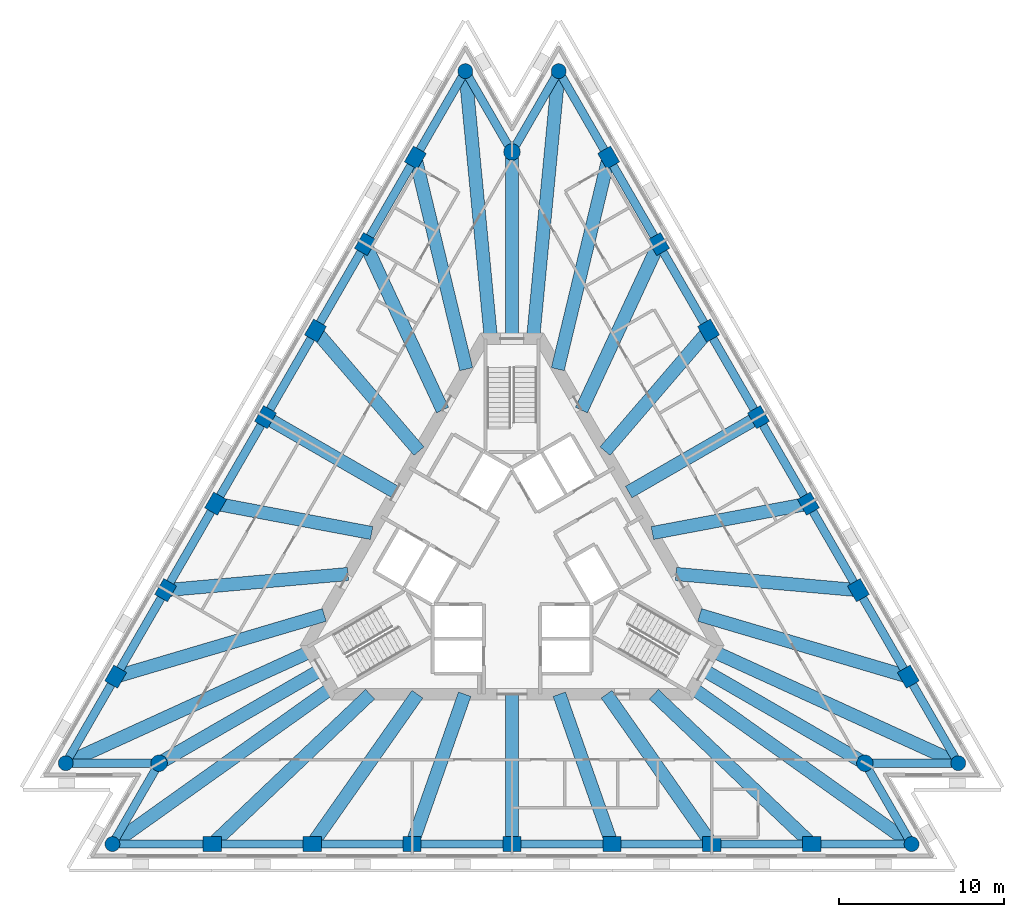
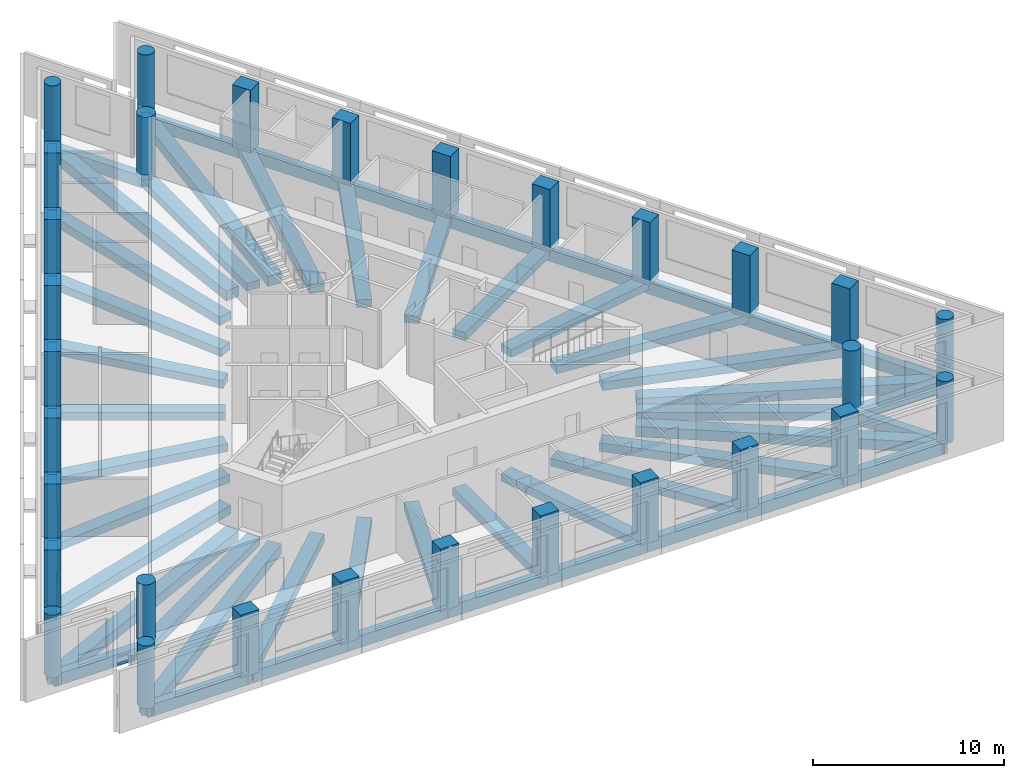
# One storey, part 1 of 9: 60 beams, 30 columns.
"""IFC4 building model written with IfcOpenShell, lengths in metres."""

from ifc_helpers import new_model, si_unit, direction, frame, origin, origin_2d, place, context, subcontext, project, spatial, rectangle, circle, extrude, material, material_profile, profile_set, type_object, element, save


model = new_model("IFC4")

# Units and contexts
model_context = context("Model", 3, precision=1e-05, world=origin(), true_north=direction((0.0, 1.0)))
body_context = subcontext(model_context, "Body", "Model", "MODEL_VIEW")
ifc_project = project(units=[si_unit("LENGTHUNIT", "METRE"), si_unit("AREAUNIT", "SQUARE_METRE"), si_unit("VOLUMEUNIT", "CUBIC_METRE"), si_unit("PLANEANGLEUNIT", "RADIAN"), si_unit("MASSUNIT", "GRAM", prefix="KILO")], contexts=[model_context])

# Site, building, storey
site_placement = place(None, origin())
site = spatial("IfcSite", under=ifc_project, at=site_placement, CompositionType="ELEMENT")
building_placement = place(site_placement, origin())
building = spatial("IfcBuilding", under=site, at=building_placement, Name="Triada Interchange Tower", CompositionType="ELEMENT")
storey_placement = place(building_placement, frame((0.0, 0.0, 215.300048828125)))
storey = spatial("IfcBuildingStorey", under=building, at=storey_placement, Name="L50", CompositionType="ELEMENT", Elevation=215.300048828125)

# Columns
ifc_material = material(Name="Concrete C50/60", Category="concrete")
ifc_material_profile_1 = material_profile(ifc_material, rectangle(XDim=1.10009765625, YDim=0.89990234375, at=origin_2d()), Name="RC 1100x900")
ifc_profile_set_1 = profile_set([ifc_material_profile_1], Name="Concrete C50/60")
column_type_1 = type_object("IfcColumnType", Name="Column C face RC 1100x900", PredefinedType="COLUMN", material=ifc_profile_set_1)
for number, where, z_axis, x_axis, name in (
    (1, (-5.843017578125, 24.299072265625, -0.300048828125), (0.0, 0.0, 1.0), (0.5, 0.866025403784, 0.0), "Column CC02 L50"),
    (2, (-8.864013671875, 19.068115234375, -0.300048828125), (0.0, 0.0, 1.0), (0.5, 0.866025403784, 0.0), "Column CC03 L50"),
    (3, (-11.884033203125, 13.8359375, -0.300048828125), (0.0, 0.0, 1.0), (0.5, 0.866025403784, 0.0), "Column CC04 L50"),
    (4, (-14.904052734375, 8.60498046875, -0.300048828125), (0.0, 0.0, 1.0), (0.5, 0.866025403784, 0.0), "Column CC05 L50"),
    (5, (-17.924072265625, 3.3740234375, -0.300048828125), (0.0, 0.0, 1.0), (0.5, 0.866025403784, 0.0), "Column CC06 L50"),
    (6, (-20.944091796875, -1.85791015625, -0.300048828125), (0.0, 0.0, 1.0), (0.5, 0.866025403784, 0.0), "Column CC07 L50"),
    (7, (-23.965087890625, -7.089111328125, -0.300048828125), (0.0, 0.0, 1.0), (0.5, 0.866025403784, 0.0), "Column CC08 L50"),
    (8, (-18.12109375, -17.2099609375, -0.300048828125), (0.0, 0.0, 1.0), (1.0, 0.0, 0.0), "Column CC11 L50"),
    (9, (-12.0810546875, -17.2099609375, -0.300048828125), (0.0, 0.0, 1.0), (1.0, 0.0, 0.0), "Column CC12 L50"),
    (10, (-6.041015625, -17.2099609375, -0.300048828125), (0.0, 0.0, 1.0), (1.0, 0.0, 0.0), "Column CC13 L50"),
    (11, (0.0, -17.2099609375, -0.300048828125), (0.0, 0.0, 1.0), (1.0, 0.0, 0.0), "Column CC14 L50"),
    (12, (6.041015625, -17.2099609375, -0.300048828125), (0.0, 0.0, 1.0), (1.0, 0.0, 0.0), "Column CC15 L50"),
    (13, (12.0810546875, -17.2099609375, -0.300048828125), (0.0, 0.0, 1.0), (1.0, 0.0, 0.0), "Column CC16 L50"),
    (14, (18.12109375, -17.2099609375, -0.300048828125), (0.0, 0.0, 1.0), (1.0, 0.0, 0.0), "Column CC17 L50"),
    (15, (23.965087890625, -7.089111328125, -0.300048828125), (0.0, 0.0, 1.0), (-0.5, 0.866025403784, 0.0), "Column CC20 L50"),
    (16, (20.944091796875, -1.85791015625, -0.300048828125), (0.0, 0.0, 1.0), (-0.5, 0.866025403784, 0.0), "Column CC21 L50"),
    (17, (17.924072265625, 3.3740234375, -0.300048828125), (0.0, 0.0, 1.0), (-0.5, 0.866025403784, 0.0), "Column CC22 L50"),
    (18, (14.904052734375, 8.60498046875, -0.300048828125), (0.0, 0.0, 1.0), (-0.5, 0.866025403784, 0.0), "Column CC23 L50"),
    (19, (11.884033203125, 13.8359375, -0.300048828125), (0.0, 0.0, 1.0), (-0.5, 0.866025403784, 0.0), "Column CC24 L50"),
    (20, (8.864013671875, 19.068115234375, -0.300048828125), (0.0, 0.0, 1.0), (-0.5, 0.866025403784, 0.0), "Column CC25 L50"),
    (21, (5.843017578125, 24.299072265625, -0.300048828125), (0.0, 0.0, 1.0), (-0.5, 0.866025403784, 0.0), "Column CC26 L50"),
):
    element("IfcColumn", number, at=place(storey_placement, frame(where, z_axis=z_axis, x_axis=x_axis)), inside=storey, type_object=column_type_1, Name=name, PredefinedType="COLUMN", context=body_context, shape_type="SweptSolid", body=[
        extrude(rectangle(XDim=1.10009765625, YDim=0.89990234375, at=origin_2d()), origin(), (0.0, 0.0, 1.0), 4.0),
    ])
ifc_material_profile_2 = material_profile(ifc_material, circle(Radius=0.449951171875, at=origin_2d()), Name="RC D900")
ifc_profile_set_2 = profile_set([ifc_material_profile_2], Name="Concrete C50/60")
column_type_2 = type_object("IfcColumnType", Name="End column C RC D900", PredefinedType="COLUMN", material=ifc_profile_set_2)
for number, where, z_axis, x_axis, name in (
    (22, (-2.822998046875, 29.530029296875, -0.300048828125), (0.0, 0.0, 1.0), (0.5, 0.866025403784, 0.0), "Column CC01 L50"),
    (23, (-26.985107421875, -12.320068359375, -0.300048828125), (0.0, 0.0, 1.0), (0.5, 0.866025403784, 0.0), "Column CC09 L50"),
    (24, (-24.162109375, -17.2099609375, -0.300048828125), (0.0, 0.0, 1.0), (1.0, 0.0, 0.0), "Column CC10 L50"),
    (25, (24.162109375, -17.2099609375, -0.300048828125), (0.0, 0.0, 1.0), (1.0, 0.0, 0.0), "Column CC18 L50"),
    (26, (26.985107421875, -12.320068359375, -0.300048828125), (0.0, 0.0, 1.0), (-0.5, 0.866025403784, 0.0), "Column CC19 L50"),
    (27, (2.822998046875, 29.530029296875, -0.300048828125), (0.0, 0.0, 1.0), (-0.5, 0.866025403784, 0.0), "Column CC27 L50"),
):
    element("IfcColumn", number, at=place(storey_placement, frame(where, z_axis=z_axis, x_axis=x_axis)), inside=storey, type_object=column_type_2, Name=name, PredefinedType="COLUMN", context=body_context, shape_type="SweptSolid", body=[
        extrude(circle(Radius=0.449951171875, at=origin_2d()), origin(), (0.0, 0.0, 1.0), 4.0),
    ])
ifc_material_profile_3 = material_profile(ifc_material, circle(Radius=0.5, at=origin_2d()), Name="RC D1000")
ifc_profile_set_3 = profile_set([ifc_material_profile_3], Name="Concrete C50/60")
column_type_3 = type_object("IfcColumnType", Name="Mega column C RC D1000", PredefinedType="COLUMN", material=ifc_profile_set_3)
for number, where, z_axis, x_axis, name in (
    (28, (0.0, 24.64111328125, -0.300048828125), (0.0, 0.0, 1.0), (1.0, 0.0, 0.0), "Column MC1 L50"),
    (29, (-21.339111328125, -12.320068359375, -0.300048828125), (0.0, 0.0, 1.0), (1.0, 0.0, 0.0), "Column MC2 L50"),
    (30, (21.339111328125, -12.320068359375, -0.300048828125), (0.0, 0.0, 1.0), (1.0, 0.0, 0.0), "Column MC3 L50"),
):
    element("IfcColumn", number, at=place(storey_placement, frame(where, z_axis=z_axis, x_axis=x_axis)), inside=storey, type_object=column_type_3, Name=name, PredefinedType="COLUMN", context=body_context, shape_type="SweptSolid", body=[
        extrude(circle(Radius=0.5, at=origin_2d()), origin(), (0.0, 0.0, 1.0), 4.0),
    ])

# Beams
ifc_material_profile_4 = material_profile(ifc_material, rectangle(XDim=0.800048828125, YDim=0.5, at=origin_2d()), Name="RC 800x500")
ifc_profile_set_4 = profile_set([ifc_material_profile_4], Name="Concrete C50/60")
beam_type_1 = type_object("IfcBeamType", Name="Radial band beam C RC 800x500", PredefinedType="BEAM", material=ifc_profile_set_4)
beam_1_placement = place(storey_placement, frame((-8.864013671875, 19.068115234375, -0.550048828125), z_axis=(0.421590750137, -0.906786214826, 0.0), x_axis=(0.906786214826, 0.421590750137, 0.0)))
element("IfcBeam", 31, at=beam_1_placement, inside=storey, type_object=beam_type_1, Name="Radial band beam BC03 L50", PredefinedType="BEAM", context=body_context, shape_type="SweptSolid", body=[
    extrude(rectangle(XDim=0.800048828125, YDim=0.5, at=origin_2d()), origin(), (0.0, 0.0, 1.0), 11.070068359375),
])
beam_2_placement = place(storey_placement, frame((-11.884033203125, 13.8359375, -0.550048828125), z_axis=(0.6515553359, -0.75860111011, 0.0), x_axis=(0.75860111011, 0.6515553359, 0.0)))
element("IfcBeam", 32, at=beam_2_placement, inside=storey, type_object=beam_type_1, Name="Radial band beam BC04 L50", PredefinedType="BEAM", context=body_context, shape_type="SweptSolid", body=[
    extrude(rectangle(XDim=0.800048828125, YDim=0.5, at=origin_2d()), origin(), (0.0, 0.0, 1.0), 9.601806640625),
])
beam_3_placement = place(storey_placement, frame((-14.904052734375, 8.60498046875, -0.550048828125), z_axis=(0.866017300948, -0.500014034262, 0.0), x_axis=(0.500014034262, 0.866017300948, 0.0)))
element("IfcBeam", 33, at=beam_3_placement, inside=storey, type_object=beam_type_1, Name="Radial band beam BC05 L50", PredefinedType="BEAM", context=body_context, shape_type="SweptSolid", body=[
    extrude(rectangle(XDim=0.800048828125, YDim=0.5, at=origin_2d()), origin(), (0.0, 0.0, 1.0), 9.059814453125),
])
beam_4_placement = place(storey_placement, frame((-17.924072265625, 3.3740234375, -0.550048828125), z_axis=(0.982742411841, -0.18497932849, 0.0), x_axis=(0.18497932849, 0.982742411841, 0.0)))
element("IfcBeam", 34, at=beam_4_placement, inside=storey, type_object=beam_type_1, Name="Radial band beam BC06 L50", PredefinedType="BEAM", context=body_context, shape_type="SweptSolid", body=[
    extrude(rectangle(XDim=0.800048828125, YDim=0.5, at=origin_2d()), origin(), (0.0, 0.0, 1.0), 9.601806640625),
])
beam_5_placement = place(storey_placement, frame((-20.944091796875, -1.85791015625, -0.550048828125), z_axis=(0.996088446435, 0.088361795355, 0.0), x_axis=(-0.088361795355, 0.996088446435, 0.0)))
element("IfcBeam", 35, at=beam_5_placement, inside=storey, type_object=beam_type_1, Name="Radial band beam BC07 L50", PredefinedType="BEAM", context=body_context, shape_type="SweptSolid", body=[
    extrude(rectangle(XDim=0.800048828125, YDim=0.5, at=origin_2d()), origin(), (0.0, 0.0, 1.0), 11.068359375),
])
beam_6_placement = place(storey_placement, frame((-21.339111328125, -12.320068359375, -0.550048828125), z_axis=(0.86601740905, 0.500013847031, 0.0), x_axis=(-0.500013847031, 0.86601740905, 0.0)))
element("IfcBeam", 36, at=beam_6_placement, inside=storey, type_object=beam_type_1, Name="Radial band beam BC10 L50", PredefinedType="BEAM", context=body_context, shape_type="SweptSolid", body=[
    extrude(rectangle(XDim=0.800048828125, YDim=0.5, at=origin_2d()), origin(), (0.0, 0.0, 1.0), 11.289794921875),
])
beam_7_placement = place(storey_placement, frame((-12.0810546875, -17.2099609375, -0.550048828125), z_axis=(0.574557185305, 0.818464440776, 0.0), x_axis=(-0.818464440776, 0.574557185305, 0.0)))
element("IfcBeam", 37, at=beam_7_placement, inside=storey, type_object=beam_type_1, Name="Radial band beam BC13 L50", PredefinedType="BEAM", context=body_context, shape_type="SweptSolid", body=[
    extrude(rectangle(XDim=0.800048828125, YDim=0.5, at=origin_2d()), origin(), (0.0, 0.0, 1.0), 11.069580078125),
])
beam_8_placement = place(storey_placement, frame((-6.041015625, -17.2099609375, -0.550048828125), z_axis=(0.331177076253, 0.943568621863, 0.0), x_axis=(-0.943568621863, 0.331177076253, 0.0)))
element("IfcBeam", 38, at=beam_8_placement, inside=storey, type_object=beam_type_1, Name="Radial band beam BC14 L50", PredefinedType="BEAM", context=body_context, shape_type="SweptSolid", body=[
    extrude(rectangle(XDim=0.800048828125, YDim=0.5, at=origin_2d()), origin(), (0.0, 0.0, 1.0), 9.601806640625),
])
beam_9_placement = place(storey_placement, frame((0.0, -17.2099609375, -0.550048828125), z_axis=(0.0, 1.0, 0.0), x_axis=(-1.0, 0.0, 0.0)))
element("IfcBeam", 39, at=beam_9_placement, inside=storey, type_object=beam_type_1, Name="Radial band beam BC15 L50", PredefinedType="BEAM", context=body_context, shape_type="SweptSolid", body=[
    extrude(rectangle(XDim=0.800048828125, YDim=0.5, at=origin_2d()), origin(), (0.0, 0.0, 1.0), 9.06005859375),
])
beam_10_placement = place(storey_placement, frame((6.041015625, -17.2099609375, -0.550048828125), z_axis=(-0.331177076253, 0.943568621863, 0.0), x_axis=(-0.943568621863, -0.331177076253, 0.0)))
element("IfcBeam", 40, at=beam_10_placement, inside=storey, type_object=beam_type_1, Name="Radial band beam BC16 L50", PredefinedType="BEAM", context=body_context, shape_type="SweptSolid", body=[
    extrude(rectangle(XDim=0.800048828125, YDim=0.5, at=origin_2d()), origin(), (0.0, 0.0, 1.0), 9.601806640625),
])
beam_11_placement = place(storey_placement, frame((12.0810546875, -17.2099609375, -0.550048828125), z_axis=(-0.574557185305, 0.818464440776, 0.0), x_axis=(-0.818464440776, -0.574557185305, 0.0)))
element("IfcBeam", 41, at=beam_11_placement, inside=storey, type_object=beam_type_1, Name="Radial band beam BC17 L50", PredefinedType="BEAM", context=body_context, shape_type="SweptSolid", body=[
    extrude(rectangle(XDim=0.800048828125, YDim=0.5, at=origin_2d()), origin(), (0.0, 0.0, 1.0), 11.069580078125),
])
beam_12_placement = place(storey_placement, frame((21.339111328125, -12.320068359375, -0.550048828125), z_axis=(-0.86601740905, 0.500013847031, 0.0), x_axis=(-0.500013847031, -0.86601740905, 0.0)))
element("IfcBeam", 42, at=beam_12_placement, inside=storey, type_object=beam_type_1, Name="Radial band beam BC20 L50", PredefinedType="BEAM", context=body_context, shape_type="SweptSolid", body=[
    extrude(rectangle(XDim=0.800048828125, YDim=0.5, at=origin_2d()), origin(), (0.0, 0.0, 1.0), 11.289794921875),
])
beam_13_placement = place(storey_placement, frame((20.944091796875, -1.85791015625, -0.550048828125), z_axis=(-0.996088446435, 0.088361795355, 0.0), x_axis=(-0.088361795355, -0.996088446435, 0.0)))
element("IfcBeam", 43, at=beam_13_placement, inside=storey, type_object=beam_type_1, Name="Radial band beam BC23 L50", PredefinedType="BEAM", context=body_context, shape_type="SweptSolid", body=[
    extrude(rectangle(XDim=0.800048828125, YDim=0.5, at=origin_2d()), origin(), (0.0, 0.0, 1.0), 11.068359375),
])
beam_14_placement = place(storey_placement, frame((17.924072265625, 3.3740234375, -0.550048828125), z_axis=(-0.982742411841, -0.18497932849, 0.0), x_axis=(0.18497932849, -0.982742411841, 0.0)))
element("IfcBeam", 44, at=beam_14_placement, inside=storey, type_object=beam_type_1, Name="Radial band beam BC24 L50", PredefinedType="BEAM", context=body_context, shape_type="SweptSolid", body=[
    extrude(rectangle(XDim=0.800048828125, YDim=0.5, at=origin_2d()), origin(), (0.0, 0.0, 1.0), 9.601806640625),
])
beam_15_placement = place(storey_placement, frame((14.904052734375, 8.60498046875, -0.550048828125), z_axis=(-0.866017300948, -0.500014034262, 0.0), x_axis=(0.500014034262, -0.866017300948, 0.0)))
element("IfcBeam", 45, at=beam_15_placement, inside=storey, type_object=beam_type_1, Name="Radial band beam BC25 L50", PredefinedType="BEAM", context=body_context, shape_type="SweptSolid", body=[
    extrude(rectangle(XDim=0.800048828125, YDim=0.5, at=origin_2d()), origin(), (0.0, 0.0, 1.0), 9.059814453125),
])
beam_16_placement = place(storey_placement, frame((11.884033203125, 13.8359375, -0.550048828125), z_axis=(-0.6515553359, -0.75860111011, 0.0), x_axis=(0.75860111011, -0.6515553359, 0.0)))
element("IfcBeam", 46, at=beam_16_placement, inside=storey, type_object=beam_type_1, Name="Radial band beam BC26 L50", PredefinedType="BEAM", context=body_context, shape_type="SweptSolid", body=[
    extrude(rectangle(XDim=0.800048828125, YDim=0.5, at=origin_2d()), origin(), (0.0, 0.0, 1.0), 9.601806640625),
])
beam_17_placement = place(storey_placement, frame((8.864013671875, 19.068115234375, -0.550048828125), z_axis=(-0.421590750137, -0.906786214826, 0.0), x_axis=(0.906786214826, -0.421590750137, 0.0)))
element("IfcBeam", 47, at=beam_17_placement, inside=storey, type_object=beam_type_1, Name="Radial band beam BC27 L50", PredefinedType="BEAM", context=body_context, shape_type="SweptSolid", body=[
    extrude(rectangle(XDim=0.800048828125, YDim=0.5, at=origin_2d()), origin(), (0.0, 0.0, 1.0), 11.070068359375),
])
beam_18_placement = place(storey_placement, frame((0.0, 24.64111328125, -0.550048828125), z_axis=(0.0, -1.0, 0.0), x_axis=(1.0, 0.0, 0.0)))
element("IfcBeam", 48, at=beam_18_placement, inside=storey, type_object=beam_type_1, Name="Radial band beam BC30 L50", PredefinedType="BEAM", context=body_context, shape_type="SweptSolid", body=[
    extrude(rectangle(XDim=0.800048828125, YDim=0.5, at=origin_2d()), origin(), (0.0, 0.0, 1.0), 11.291015625),
])
ifc_material_profile_5 = material_profile(ifc_material, rectangle(XDim=0.800048828125, YDim=0.550048828125, at=origin_2d()), Name="RC 800x550")
ifc_profile_set_5 = profile_set([ifc_material_profile_5], Name="Concrete C50/60")
beam_type_2 = type_object("IfcBeamType", Name="Radial band beam C RC 800x550", PredefinedType="BEAM", material=ifc_profile_set_5)
for number, where, z_axis, x_axis, name in (
    (49, (-5.843017578125, 24.299072265625, -0.574951171875), (0.23379332941, -0.972286315405, 0.0), (0.972286315405, 0.23379332941, 0.0), "Radial band beam BC02 L50"),
    (50, (-23.965087890625, -7.089111328125, -0.574951171875), (0.958919895275, 0.283676989629, 0.0), (-0.283676989629, 0.958919895275, 0.0), "Radial band beam BC08 L50"),
):
    element("IfcBeam", number, at=place(storey_placement, frame(where, z_axis=z_axis, x_axis=x_axis)), inside=storey, type_object=beam_type_2, Name=name, PredefinedType="BEAM", context=body_context, shape_type="SweptSolid", body=[
        extrude(rectangle(XDim=0.800048828125, YDim=0.550048828125, at=origin_2d()), origin(), (0.0, 0.0, 1.0), 13.156494140625),
    ])
for number, where, z_axis, x_axis, name in (
    (51, (-18.12109375, -17.2099609375, -0.574951171875), (0.725112469528, 0.688630457165, 0.0), (-0.688630457165, 0.725112469528, 0.0), "Radial band beam BC12 L50"),
    (52, (18.12109375, -17.2099609375, -0.574951171875), (-0.725112469528, 0.688630457165, 0.0), (-0.688630457165, -0.725112469528, 0.0), "Radial band beam BC18 L50"),
):
    element("IfcBeam", number, at=place(storey_placement, frame(where, z_axis=z_axis, x_axis=x_axis)), inside=storey, type_object=beam_type_2, Name=name, PredefinedType="BEAM", context=body_context, shape_type="SweptSolid", body=[
        extrude(rectangle(XDim=0.800048828125, YDim=0.550048828125, at=origin_2d()), origin(), (0.0, 0.0, 1.0), 13.15673828125),
    ])
for number, where, z_axis, x_axis, name in (
    (53, (23.965087890625, -7.089111328125, -0.574951171875), (-0.958919895275, 0.283676989629, 0.0), (-0.283676989629, -0.958919895275, 0.0), "Radial band beam BC22 L50"),
    (54, (5.843017578125, 24.299072265625, -0.574951171875), (-0.23379332941, -0.972286315405, 0.0), (0.972286315405, -0.23379332941, 0.0), "Radial band beam BC28 L50"),
):
    element("IfcBeam", number, at=place(storey_placement, frame(where, z_axis=z_axis, x_axis=x_axis)), inside=storey, type_object=beam_type_2, Name=name, PredefinedType="BEAM", context=body_context, shape_type="SweptSolid", body=[
        extrude(rectangle(XDim=0.800048828125, YDim=0.550048828125, at=origin_2d()), origin(), (0.0, 0.0, 1.0), 13.156494140625),
    ])
ifc_material_profile_6 = material_profile(ifc_material, rectangle(XDim=0.800048828125, YDim=0.64990234375, at=origin_2d()), Name="RC 800x650")
ifc_profile_set_6 = profile_set([ifc_material_profile_6], Name="Concrete C50/60")
beam_type_3 = type_object("IfcBeamType", Name="Radial band beam C RC 800x650", PredefinedType="BEAM", material=ifc_profile_set_6)
beam_19_placement = place(storey_placement, frame((-2.822998046875, 29.530029296875, -0.625), z_axis=(0.095185478206, -0.995459554547, 0.0), x_axis=(0.995459554547, 0.095185478206, 0.0)))
element("IfcBeam", 55, at=beam_19_placement, inside=storey, type_object=beam_type_3, Name="Radial band beam BC01 L50", PredefinedType="BEAM", context=body_context, shape_type="SweptSolid", body=[
    extrude(rectangle(XDim=0.800048828125, YDim=0.64990234375, at=origin_2d()), origin(), (0.0, 0.0, 1.0), 16.253662109375),
])
beam_20_placement = place(storey_placement, frame((-26.985107421875, -12.320068359375, -0.625), z_axis=(0.909682082245, 0.415305320507, 0.0), x_axis=(-0.415305320507, 0.909682082245, 0.0)))
element("IfcBeam", 56, at=beam_20_placement, inside=storey, type_object=beam_type_3, Name="Radial band beam BC09 L50", PredefinedType="BEAM", context=body_context, shape_type="SweptSolid", body=[
    extrude(rectangle(XDim=0.800048828125, YDim=0.64990234375, at=origin_2d()), origin(), (0.0, 0.0, 1.0), 16.253173828125),
])
for number, where, z_axis, x_axis, name in (
    (57, (-24.162109375, -17.2099609375, -0.625), (0.814504065781, 0.580157846475, 0.0), (-0.580157846475, 0.814504065781, 0.0), "Radial band beam BC11 L50"),
    (58, (24.162109375, -17.2099609375, -0.625), (-0.814504065781, 0.580157846475, 0.0), (-0.580157846475, -0.814504065781, 0.0), "Radial band beam BC19 L50"),
):
    element("IfcBeam", number, at=place(storey_placement, frame(where, z_axis=z_axis, x_axis=x_axis)), inside=storey, type_object=beam_type_3, Name=name, PredefinedType="BEAM", context=body_context, shape_type="SweptSolid", body=[
        extrude(rectangle(XDim=0.800048828125, YDim=0.64990234375, at=origin_2d()), origin(), (0.0, 0.0, 1.0), 16.254150390625),
    ])
beam_21_placement = place(storey_placement, frame((26.985107421875, -12.320068359375, -0.625), z_axis=(-0.909682082245, 0.415305320507, 0.0), x_axis=(-0.415305320507, -0.909682082245, 0.0)))
element("IfcBeam", 59, at=beam_21_placement, inside=storey, type_object=beam_type_3, Name="Radial band beam BC21 L50", PredefinedType="BEAM", context=body_context, shape_type="SweptSolid", body=[
    extrude(rectangle(XDim=0.800048828125, YDim=0.64990234375, at=origin_2d()), origin(), (0.0, 0.0, 1.0), 16.253173828125),
])
beam_22_placement = place(storey_placement, frame((2.822998046875, 29.530029296875, -0.625), z_axis=(-0.095185478206, -0.995459554547, 0.0), x_axis=(0.995459554547, -0.095185478206, 0.0)))
element("IfcBeam", 60, at=beam_22_placement, inside=storey, type_object=beam_type_3, Name="Radial band beam BC29 L50", PredefinedType="BEAM", context=body_context, shape_type="SweptSolid", body=[
    extrude(rectangle(XDim=0.800048828125, YDim=0.64990234375, at=origin_2d()), origin(), (0.0, 0.0, 1.0), 16.253662109375),
])
ifc_material_profile_7 = material_profile(ifc_material, rectangle(XDim=0.5, YDim=0.75, at=origin_2d()), Name="RC 500x750")
ifc_profile_set_7 = profile_set([ifc_material_profile_7], Name="Concrete C50/60")
beam_type_4 = type_object("IfcBeamType", Name="Spandrel beam C RC 500x750", PredefinedType="BEAM", material=ifc_profile_set_7)
beam_23_placement = place(storey_placement, frame((-2.822998046875, 29.530029296875, -0.675048828125), z_axis=(-0.499990697366, -0.866030774596, 0.0), x_axis=(0.866030774596, -0.499990697366, 0.0)))
element("IfcBeam", 61, at=beam_23_placement, inside=storey, type_object=beam_type_4, Name="Spandrel beam EC01 L50", PredefinedType="BEAM", context=body_context, shape_type="SweptSolid", body=[
    extrude(rectangle(XDim=0.5, YDim=0.75, at=origin_2d()), origin(), (0.0, 0.0, 1.0), 6.0400390625),
])
beam_24_placement = place(storey_placement, frame((-5.843017578125, 24.299072265625, -0.675048828125), z_axis=(-0.500111943026, -0.865960763801, 0.0), x_axis=(0.865960763801, -0.500111943026, 0.0)))
element("IfcBeam", 62, at=beam_24_placement, inside=storey, type_object=beam_type_4, Name="Spandrel beam EC02 L50", PredefinedType="BEAM", context=body_context, shape_type="SweptSolid", body=[
    extrude(rectangle(XDim=0.5, YDim=0.75, at=origin_2d()), origin(), (0.0, 0.0, 1.0), 6.04052734375),
])
beam_25_placement = place(storey_placement, frame((-8.864013671875, 19.068115234375, -0.675048828125), z_axis=(-0.499903200169, -0.86608128398, 0.0), x_axis=(0.86608128398, -0.499903200169, 0.0)))
element("IfcBeam", 63, at=beam_25_placement, inside=storey, type_object=beam_type_4, Name="Spandrel beam EC03 L50", PredefinedType="BEAM", context=body_context, shape_type="SweptSolid", body=[
    extrude(rectangle(XDim=0.5, YDim=0.75, at=origin_2d()), origin(), (0.0, 0.0, 1.0), 6.041259765625),
])
for number, where, z_axis, x_axis, name in (
    (64, (-11.884033203125, 13.8359375, -0.675048828125), (-0.499990697366, -0.866030774596, 0.0), (0.866030774596, -0.499990697366, 0.0), "Spandrel beam EC04 L50"),
    (65, (-14.904052734375, 8.60498046875, -0.675048828125), (-0.499990697366, -0.866030774596, 0.0), (0.866030774596, -0.499990697366, 0.0), "Spandrel beam EC05 L50"),
):
    element("IfcBeam", number, at=place(storey_placement, frame(where, z_axis=z_axis, x_axis=x_axis)), inside=storey, type_object=beam_type_4, Name=name, PredefinedType="BEAM", context=body_context, shape_type="SweptSolid", body=[
        extrude(rectangle(XDim=0.5, YDim=0.75, at=origin_2d()), origin(), (0.0, 0.0, 1.0), 6.0400390625),
    ])
beam_26_placement = place(storey_placement, frame((-17.924072265625, 3.3740234375, -0.675048828125), z_axis=(-0.499920697567, -0.866071184225, 0.0), x_axis=(0.866071184225, -0.499920697567, 0.0)))
element("IfcBeam", 66, at=beam_26_placement, inside=storey, type_object=beam_type_4, Name="Spandrel beam EC06 L50", PredefinedType="BEAM", context=body_context, shape_type="SweptSolid", body=[
    extrude(rectangle(XDim=0.5, YDim=0.75, at=origin_2d()), origin(), (0.0, 0.0, 1.0), 6.041015625),
])
beam_27_placement = place(storey_placement, frame((-20.944091796875, -1.85791015625, -0.675048828125), z_axis=(-0.500094440131, -0.865970871883, 0.0), x_axis=(0.865970871883, -0.500094440131, 0.0)))
element("IfcBeam", 67, at=beam_27_placement, inside=storey, type_object=beam_type_4, Name="Spandrel beam EC07 L50", PredefinedType="BEAM", context=body_context, shape_type="SweptSolid", body=[
    extrude(rectangle(XDim=0.5, YDim=0.75, at=origin_2d()), origin(), (0.0, 0.0, 1.0), 6.040771484375),
])
beam_28_placement = place(storey_placement, frame((-23.965087890625, -7.089111328125, -0.675048828125), z_axis=(-0.499990697366, -0.866030774596, 0.0), x_axis=(0.866030774596, -0.499990697366, 0.0)))
element("IfcBeam", 68, at=beam_28_placement, inside=storey, type_object=beam_type_4, Name="Spandrel beam EC08 L50", PredefinedType="BEAM", context=body_context, shape_type="SweptSolid", body=[
    extrude(rectangle(XDim=0.5, YDim=0.75, at=origin_2d()), origin(), (0.0, 0.0, 1.0), 6.0400390625),
])
beam_29_placement = place(storey_placement, frame((-26.985107421875, -12.320068359375, -0.675048828125), z_axis=(1.0, 0.0, 0.0), x_axis=(0.0, 1.0, 0.0)))
element("IfcBeam", 69, at=beam_29_placement, inside=storey, type_object=beam_type_4, Name="Spandrel beam EC09 L50", PredefinedType="BEAM", context=body_context, shape_type="SweptSolid", body=[
    extrude(rectangle(XDim=0.5, YDim=0.75, at=origin_2d()), origin(), (0.0, 0.0, 1.0), 5.64599609375),
])
beam_30_placement = place(storey_placement, frame((-21.339111328125, -12.320068359375, -0.675048828125), z_axis=(-0.499975725007, -0.866039418504, 0.0), x_axis=(0.866039418504, -0.499975725007, 0.0)))
element("IfcBeam", 70, at=beam_30_placement, inside=storey, type_object=beam_type_4, Name="Spandrel beam EC10 L50", PredefinedType="BEAM", context=body_context, shape_type="SweptSolid", body=[
    extrude(rectangle(XDim=0.5, YDim=0.75, at=origin_2d()), origin(), (0.0, 0.0, 1.0), 5.646240234375),
])
beam_31_placement = place(storey_placement, frame((-24.162109375, -17.2099609375, -0.675048828125), z_axis=(1.0, 0.0, 0.0), x_axis=(0.0, 1.0, 0.0)))
element("IfcBeam", 71, at=beam_31_placement, inside=storey, type_object=beam_type_4, Name="Spandrel beam EC11 L50", PredefinedType="BEAM", context=body_context, shape_type="SweptSolid", body=[
    extrude(rectangle(XDim=0.5, YDim=0.75, at=origin_2d()), origin(), (0.0, 0.0, 1.0), 6.041015625),
])
for number, where, z_axis, x_axis, name in (
    (72, (-18.12109375, -17.2099609375, -0.675048828125), (1.0, 0.0, 0.0), (0.0, 1.0, 0.0), "Spandrel beam EC12 L50"),
    (73, (-12.0810546875, -17.2099609375, -0.675048828125), (1.0, 0.0, 0.0), (0.0, 1.0, 0.0), "Spandrel beam EC13 L50"),
):
    element("IfcBeam", number, at=place(storey_placement, frame(where, z_axis=z_axis, x_axis=x_axis)), inside=storey, type_object=beam_type_4, Name=name, PredefinedType="BEAM", context=body_context, shape_type="SweptSolid", body=[
        extrude(rectangle(XDim=0.5, YDim=0.75, at=origin_2d()), origin(), (0.0, 0.0, 1.0), 6.0400390625),
    ])
for number, where, z_axis, x_axis, name in (
    (74, (-6.041015625, -17.2099609375, -0.675048828125), (1.0, 0.0, 0.0), (0.0, 1.0, 0.0), "Spandrel beam EC14 L50"),
    (75, (0.0, -17.2099609375, -0.675048828125), (1.0, 0.0, 0.0), (0.0, 1.0, 0.0), "Spandrel beam EC15 L50"),
):
    element("IfcBeam", number, at=place(storey_placement, frame(where, z_axis=z_axis, x_axis=x_axis)), inside=storey, type_object=beam_type_4, Name=name, PredefinedType="BEAM", context=body_context, shape_type="SweptSolid", body=[
        extrude(rectangle(XDim=0.5, YDim=0.75, at=origin_2d()), origin(), (0.0, 0.0, 1.0), 6.041015625),
    ])
for number, where, z_axis, x_axis, name in (
    (76, (6.041015625, -17.2099609375, -0.675048828125), (1.0, 0.0, 0.0), (0.0, 1.0, 0.0), "Spandrel beam EC16 L50"),
    (77, (12.0810546875, -17.2099609375, -0.675048828125), (1.0, 0.0, 0.0), (0.0, 1.0, 0.0), "Spandrel beam EC17 L50"),
):
    element("IfcBeam", number, at=place(storey_placement, frame(where, z_axis=z_axis, x_axis=x_axis)), inside=storey, type_object=beam_type_4, Name=name, PredefinedType="BEAM", context=body_context, shape_type="SweptSolid", body=[
        extrude(rectangle(XDim=0.5, YDim=0.75, at=origin_2d()), origin(), (0.0, 0.0, 1.0), 6.0400390625),
    ])
beam_32_placement = place(storey_placement, frame((18.12109375, -17.2099609375, -0.675048828125), z_axis=(1.0, 0.0, 0.0), x_axis=(0.0, 1.0, 0.0)))
element("IfcBeam", 78, at=beam_32_placement, inside=storey, type_object=beam_type_4, Name="Spandrel beam EC18 L50", PredefinedType="BEAM", context=body_context, shape_type="SweptSolid", body=[
    extrude(rectangle(XDim=0.5, YDim=0.75, at=origin_2d()), origin(), (0.0, 0.0, 1.0), 6.041015625),
])
beam_33_placement = place(storey_placement, frame((24.162109375, -17.2099609375, -0.675048828125), z_axis=(-0.499975725007, 0.866039418504, 0.0), x_axis=(-0.866039418504, -0.499975725007, 0.0)))
element("IfcBeam", 79, at=beam_33_placement, inside=storey, type_object=beam_type_4, Name="Spandrel beam EC19 L50", PredefinedType="BEAM", context=body_context, shape_type="SweptSolid", body=[
    extrude(rectangle(XDim=0.5, YDim=0.75, at=origin_2d()), origin(), (0.0, 0.0, 1.0), 5.646240234375),
])
beam_34_placement = place(storey_placement, frame((21.339111328125, -12.320068359375, -0.675048828125), z_axis=(1.0, 0.0, 0.0), x_axis=(0.0, 1.0, 0.0)))
element("IfcBeam", 80, at=beam_34_placement, inside=storey, type_object=beam_type_4, Name="Spandrel beam EC20 L50", PredefinedType="BEAM", context=body_context, shape_type="SweptSolid", body=[
    extrude(rectangle(XDim=0.5, YDim=0.75, at=origin_2d()), origin(), (0.0, 0.0, 1.0), 5.64599609375),
])
beam_35_placement = place(storey_placement, frame((26.985107421875, -12.320068359375, -0.675048828125), z_axis=(-0.499990697366, 0.866030774596, 0.0), x_axis=(-0.866030774596, -0.499990697366, 0.0)))
element("IfcBeam", 81, at=beam_35_placement, inside=storey, type_object=beam_type_4, Name="Spandrel beam EC21 L50", PredefinedType="BEAM", context=body_context, shape_type="SweptSolid", body=[
    extrude(rectangle(XDim=0.5, YDim=0.75, at=origin_2d()), origin(), (0.0, 0.0, 1.0), 6.0400390625),
])
beam_36_placement = place(storey_placement, frame((23.965087890625, -7.089111328125, -0.675048828125), z_axis=(-0.500094440131, 0.865970871883, 0.0), x_axis=(-0.865970871883, -0.500094440131, 0.0)))
element("IfcBeam", 82, at=beam_36_placement, inside=storey, type_object=beam_type_4, Name="Spandrel beam EC22 L50", PredefinedType="BEAM", context=body_context, shape_type="SweptSolid", body=[
    extrude(rectangle(XDim=0.5, YDim=0.75, at=origin_2d()), origin(), (0.0, 0.0, 1.0), 6.040771484375),
])
beam_37_placement = place(storey_placement, frame((20.944091796875, -1.85791015625, -0.675048828125), z_axis=(-0.499920697567, 0.866071184225, 0.0), x_axis=(-0.866071184225, -0.499920697567, 0.0)))
element("IfcBeam", 83, at=beam_37_placement, inside=storey, type_object=beam_type_4, Name="Spandrel beam EC23 L50", PredefinedType="BEAM", context=body_context, shape_type="SweptSolid", body=[
    extrude(rectangle(XDim=0.5, YDim=0.75, at=origin_2d()), origin(), (0.0, 0.0, 1.0), 6.041015625),
])
for number, where, z_axis, x_axis, name in (
    (84, (17.924072265625, 3.3740234375, -0.675048828125), (-0.499990697366, 0.866030774596, 0.0), (-0.866030774596, -0.499990697366, 0.0), "Spandrel beam EC24 L50"),
    (85, (14.904052734375, 8.60498046875, -0.675048828125), (-0.499990697366, 0.866030774596, 0.0), (-0.866030774596, -0.499990697366, 0.0), "Spandrel beam EC25 L50"),
):
    element("IfcBeam", number, at=place(storey_placement, frame(where, z_axis=z_axis, x_axis=x_axis)), inside=storey, type_object=beam_type_4, Name=name, PredefinedType="BEAM", context=body_context, shape_type="SweptSolid", body=[
        extrude(rectangle(XDim=0.5, YDim=0.75, at=origin_2d()), origin(), (0.0, 0.0, 1.0), 6.0400390625),
    ])
beam_38_placement = place(storey_placement, frame((11.884033203125, 13.8359375, -0.675048828125), z_axis=(-0.499903200169, 0.86608128398, 0.0), x_axis=(-0.86608128398, -0.499903200169, 0.0)))
element("IfcBeam", 86, at=beam_38_placement, inside=storey, type_object=beam_type_4, Name="Spandrel beam EC26 L50", PredefinedType="BEAM", context=body_context, shape_type="SweptSolid", body=[
    extrude(rectangle(XDim=0.5, YDim=0.75, at=origin_2d()), origin(), (0.0, 0.0, 1.0), 6.041259765625),
])
beam_39_placement = place(storey_placement, frame((8.864013671875, 19.068115234375, -0.675048828125), z_axis=(-0.500111943026, 0.865960763801, 0.0), x_axis=(-0.865960763801, -0.500111943026, 0.0)))
element("IfcBeam", 87, at=beam_39_placement, inside=storey, type_object=beam_type_4, Name="Spandrel beam EC27 L50", PredefinedType="BEAM", context=body_context, shape_type="SweptSolid", body=[
    extrude(rectangle(XDim=0.5, YDim=0.75, at=origin_2d()), origin(), (0.0, 0.0, 1.0), 6.04052734375),
])
beam_40_placement = place(storey_placement, frame((5.843017578125, 24.299072265625, -0.675048828125), z_axis=(-0.499990697366, 0.866030774596, 0.0), x_axis=(-0.866030774596, -0.499990697366, 0.0)))
element("IfcBeam", 88, at=beam_40_placement, inside=storey, type_object=beam_type_4, Name="Spandrel beam EC28 L50", PredefinedType="BEAM", context=body_context, shape_type="SweptSolid", body=[
    extrude(rectangle(XDim=0.5, YDim=0.75, at=origin_2d()), origin(), (0.0, 0.0, 1.0), 6.0400390625),
])
for number, where, z_axis, x_axis, name in (
    (89, (2.822998046875, 29.530029296875, -0.675048828125), (-0.500050624552, -0.865996173713, 0.0), (0.865996173713, -0.500050624552, 0.0), "Spandrel beam EC29 L50"),
    (90, (0.0, 24.64111328125, -0.675048828125), (-0.500050624552, 0.865996173713, 0.0), (-0.865996173713, -0.500050624552, 0.0), "Spandrel beam EC30 L50"),
):
    element("IfcBeam", number, at=place(storey_placement, frame(where, z_axis=z_axis, x_axis=x_axis)), inside=storey, type_object=beam_type_4, Name=name, PredefinedType="BEAM", context=body_context, shape_type="SweptSolid", body=[
        extrude(rectangle(XDim=0.5, YDim=0.75, at=origin_2d()), origin(), (0.0, 0.0, 1.0), 5.6455078125),
    ])

save(model, "model.ifc")
